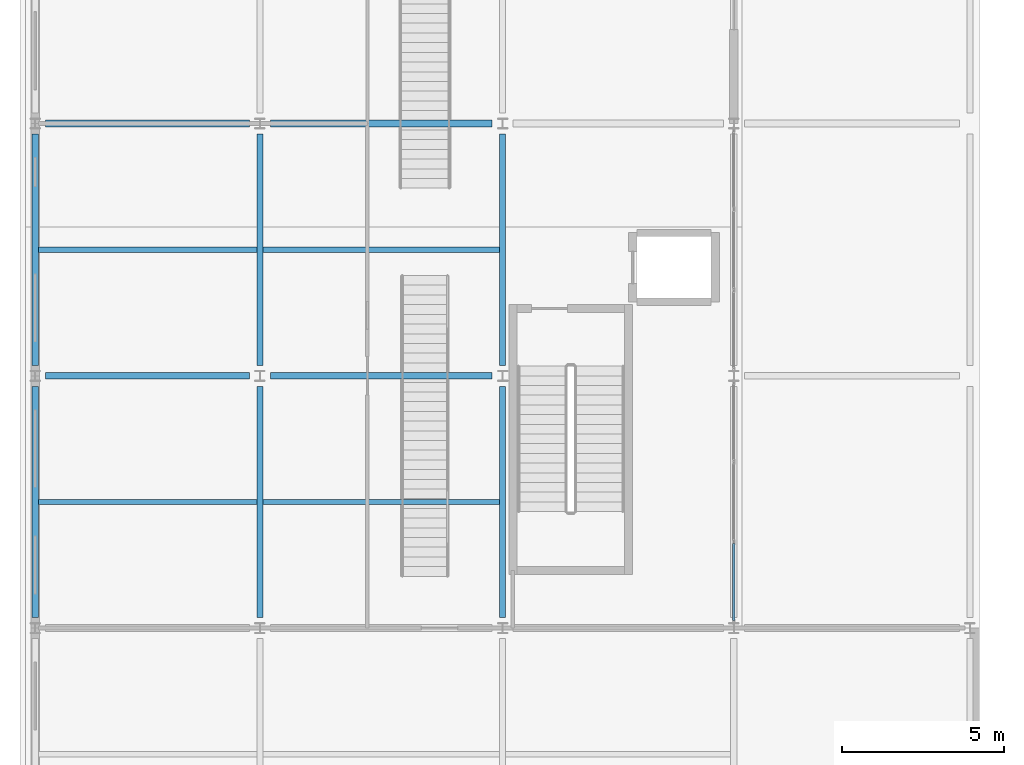
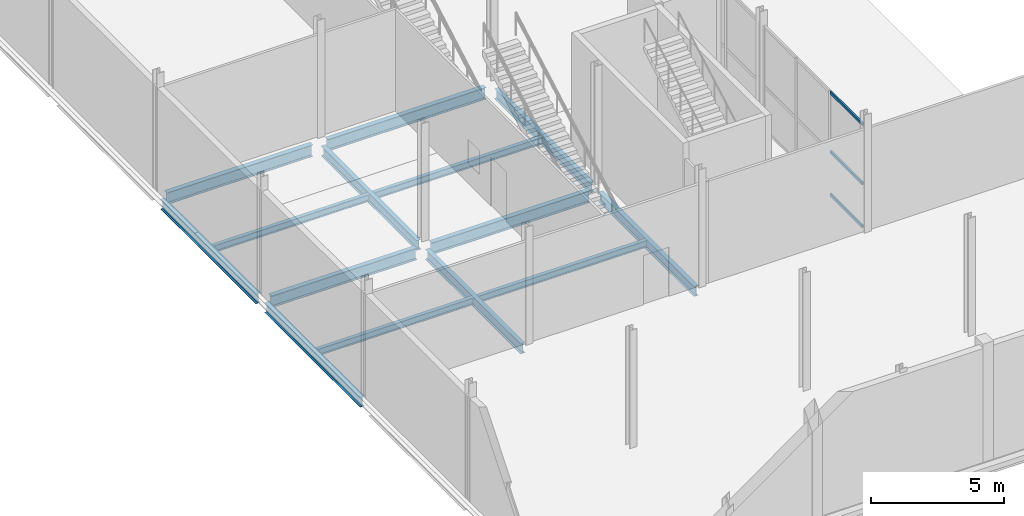
# One storey, part 14 of 83: 14 beams, 3 members, 1 element without a shape of its own.
"""IFC4 building model written with IfcOpenShell, lengths in metres."""

from ifc_helpers import new_model, si_unit, direction, frame, origin, origin_2d, place, context, subcontext, project, spatial, hollow_rectangle, i_section, extrude, material, layer, layer_set, material_profile, profile_set, type_object, element, aggregate, save


model = new_model("IFC4")

# Units and contexts
model_context = context("Model", 3, precision=1e-05, world=origin(), true_north=direction((0.0, 1.0)))
body_context = subcontext(model_context, "Body", "Model", "MODEL_VIEW")
ifc_project = project(units=[si_unit("LENGTHUNIT", "METRE"), si_unit("AREAUNIT", "SQUARE_METRE"), si_unit("VOLUMEUNIT", "CUBIC_METRE"), si_unit("PLANEANGLEUNIT", "RADIAN"), si_unit("MASSUNIT", "GRAM", prefix="KILO")], contexts=[model_context])

# Site, building, storey
site_placement = place(None, origin())
site = spatial("IfcSite", under=ifc_project, at=site_placement, CompositionType="ELEMENT")
building_placement = place(site_placement, origin())
building = spatial("IfcBuilding", under=site, at=building_placement, Name="Quillay Park Conservatory", CompositionType="ELEMENT")
storey_placement = place(building_placement, origin())
storey = spatial("IfcBuildingStorey", under=building, at=storey_placement, Name="L00", CompositionType="ELEMENT", Elevation=0.0)

# Beams
ifc_material_1 = material(Name="Steel ASTM A992 Grade 50", Category="steel")
ifc_material_profile_1 = material_profile(ifc_material_1, i_section(OverallWidth=0.166015625, OverallDepth=0.31298828125, WebThickness=0.006591796875, FlangeThickness=0.01123046875, FilletRadius=0.010009765625, at=origin_2d()), Name="W310x45")
ifc_profile_set_1 = profile_set([ifc_material_profile_1], Name="Steel ASTM A992 Grade 50")
beam_type_1 = type_object("IfcBeamType", Name="COMPOSITE FLOOR JOIST W310 X45", PredefinedType="JOIST", material=ifc_profile_set_1)
beam_1_placement = place(storey_placement, frame((0.64599609375, 19.5, -0.406494140625), z_axis=(1.0, 0.0, 0.0), x_axis=(0.0, 1.0, 0.0)))
element("IfcBeam", 1, at=beam_1_placement, inside=storey, type_object=beam_type_1, Name="L00 beam BM-V3J-1249", PredefinedType="JOIST", context=body_context, shape_type="SweptSolid", body=[
    extrude(i_section(OverallWidth=0.166015625, OverallDepth=0.31298828125, WebThickness=0.006591796875, FlangeThickness=0.01123046875, FilletRadius=0.010009765625, at=origin_2d()), origin(), (0.0, 0.0, 1.0), 6.758056640625),
])
beam_2_placement = place(storey_placement, frame((7.595947265625, 19.5, -0.406494140625), z_axis=(1.0, 0.0, 0.0), x_axis=(0.0, 1.0, 0.0)))
element("IfcBeam", 2, at=beam_2_placement, inside=storey, type_object=beam_type_1, Name="L00 beam BM-V3J-1250", PredefinedType="JOIST", context=body_context, shape_type="SweptSolid", body=[
    extrude(i_section(OverallWidth=0.166015625, OverallDepth=0.31298828125, WebThickness=0.006591796875, FlangeThickness=0.01123046875, FilletRadius=0.010009765625, at=origin_2d()), origin(), (0.0, 0.0, 1.0), 7.30810546875),
])
beam_3_placement = place(storey_placement, frame((0.64599609375, 27.300048828125, -0.406494140625), z_axis=(1.0, 0.0, 0.0), x_axis=(0.0, 1.0, 0.0)))
element("IfcBeam", 3, at=beam_3_placement, inside=storey, type_object=beam_type_1, Name="L00 beam BM-V3J-1251", PredefinedType="JOIST", context=body_context, shape_type="SweptSolid", body=[
    extrude(i_section(OverallWidth=0.166015625, OverallDepth=0.31298828125, WebThickness=0.006591796875, FlangeThickness=0.01123046875, FilletRadius=0.010009765625, at=origin_2d()), origin(), (0.0, 0.0, 1.0), 6.758056640625),
])
beam_4_placement = place(storey_placement, frame((7.595947265625, 27.300048828125, -0.406494140625), z_axis=(1.0, 0.0, 0.0), x_axis=(0.0, 1.0, 0.0)))
element("IfcBeam", 4, at=beam_4_placement, inside=storey, type_object=beam_type_1, Name="L00 beam BM-V3J-1252", PredefinedType="JOIST", context=body_context, shape_type="SweptSolid", body=[
    extrude(i_section(OverallWidth=0.166015625, OverallDepth=0.31298828125, WebThickness=0.006591796875, FlangeThickness=0.01123046875, FilletRadius=0.010009765625, at=origin_2d()), origin(), (0.0, 0.0, 1.0), 7.30810546875),
])

# Curtain wall, members
ifc_material_2 = material(Name="Thermally Broken Anodised Aluminium 6063-T6", Category="aluminium")
ifc_layer = layer(ifc_material_2, 0.1650390625)
ifc_layer_set = layer_set([ifc_layer], Name="UNITISED CURTAIN WALL PODIUM (Thermally Broken Anodised Aluminium 6063-T6)")
curtain_wall_type = type_object("IfcCurtainWallType", Name="UNITISED CURTAIN WALL PODIUM", PredefinedType="USERDEFINED", material=ifc_layer_set)
curtain_wall_placement = place(storey_placement, origin())
curtain_wall = element("IfcCurtainWall", 5, at=curtain_wall_placement, inside=storey, type_object=curtain_wall_type, Name="L00 Unitised Curtain Wall 196", ObjectType="UNITISED CURTAIN WALL", PredefinedType="USERDEFINED")
ifc_material_3 = material(Name="Thermally Broken Anodised Aluminium 6063-T6", Category="aluminium")
ifc_material_profile_2 = material_profile(ifc_material_3, hollow_rectangle(XDim=0.070068359375, YDim=0.1298828125, WallThickness=0.003173828125, at=origin_2d()), Name="AL70x130x3.2")
ifc_profile_set_2 = profile_set([ifc_material_profile_2], Name="Thermally Broken Anodised Aluminium 6063-T6")
member_type = type_object("IfcMemberType", Name="CURTAIN WALL TRANSOM 70 X130", PredefinedType="USERDEFINED", material=ifc_profile_set_2)
member_1_placement = place(storey_placement, frame((22.14990234375, 18.21826171875, 0.034912109375), z_axis=(0.0, -1.0, 0.0), x_axis=(1.0, 0.0, 0.0)))
member_1 = element("IfcMember", 6, at=member_1_placement, type_object=member_type, Name="CW-P1 transom 3.1", ObjectType="TRANSOM", PredefinedType="USERDEFINED", context=body_context, shape_type="SweptSolid", body=[
    extrude(hollow_rectangle(XDim=0.070068359375, YDim=0.1298828125, WallThickness=0.003173828125, at=origin_2d()), origin(), (0.0, 0.0, 1.0), 2.38818359375),
])
member_2_placement = place(storey_placement, frame((22.14990234375, 18.21826171875, 1.99462890625), z_axis=(0.0, -1.0, 0.0), x_axis=(1.0, 0.0, 0.0)))
member_2 = element("IfcMember", 7, at=member_2_placement, type_object=member_type, Name="CW-P1 transom 3.2", ObjectType="TRANSOM", PredefinedType="USERDEFINED", context=body_context, shape_type="SweptSolid", body=[
    extrude(hollow_rectangle(XDim=0.070068359375, YDim=0.1298828125, WallThickness=0.003173828125, at=origin_2d()), origin(), (0.0, 0.0, 1.0), 2.38818359375),
])
member_3_placement = place(storey_placement, frame((22.14990234375, 18.21826171875, 4.714111328125), z_axis=(0.0, -1.0, 0.0), x_axis=(1.0, 0.0, 0.0)))
member_3 = element("IfcMember", 8, at=member_3_placement, type_object=member_type, Name="CW-P1 transom 3.3", ObjectType="TRANSOM", PredefinedType="USERDEFINED", context=body_context, shape_type="SweptSolid", body=[
    extrude(hollow_rectangle(XDim=0.070068359375, YDim=0.1298828125, WallThickness=0.003173828125, at=origin_2d()), origin(), (0.0, 0.0, 1.0), 2.38818359375),
])
aggregate(curtain_wall, [member_1, member_2, member_3])

# Beams
ifc_material_4 = material(Name="Steel ASTM A992 Grade 50", Category="steel")
ifc_material_profile_3 = material_profile(ifc_material_4, i_section(OverallWidth=0.19189453125, OverallDepth=0.462890625, WebThickness=0.010498046875, FlangeThickness=0.017578125, FilletRadius=0.012939453125, at=origin_2d()), Name="W460x89")
ifc_profile_set_3 = profile_set([ifc_material_profile_3], Name="Steel ASTM A992 Grade 50")
beam_type_2 = type_object("IfcBeamType", Name="PRIMARY FLOOR GIRDER W460 X89", PredefinedType="BEAM", material=ifc_profile_set_3)
for number, where, z_axis, x_axis, name in (
    (9, (0.550048828125, 15.925048828125, -0.4814453125), (0.0, 1.0, 0.0), (-1.0, 0.0, 0.0), "L00 beam BM-V3Y-1210"),
    (10, (0.550048828125, 23.72509765625, -0.4814453125), (0.0, 1.0, 0.0), (-1.0, 0.0, 0.0), "L00 beam BM-V3Y-1211"),
    (11, (7.5, 15.925048828125, -0.4814453125), (0.0, 1.0, 0.0), (-1.0, 0.0, 0.0), "L00 beam BM-V3Y-1217"),
    (12, (7.5, 23.72509765625, -0.4814453125), (0.0, 1.0, 0.0), (-1.0, 0.0, 0.0), "L00 beam BM-V3Y-1218"),
    (13, (15.0, 15.925048828125, -0.4814453125), (0.0, 1.0, 0.0), (-1.0, 0.0, 0.0), "L00 beam BM-V3Y-1224"),
    (14, (15.0, 23.72509765625, -0.4814453125), (0.0, 1.0, 0.0), (-1.0, 0.0, 0.0), "L00 beam BM-V3Y-1225"),
):
    element("IfcBeam", number, at=place(storey_placement, frame(where, z_axis=z_axis, x_axis=x_axis)), inside=storey, type_object=beam_type_2, Name=name, PredefinedType="BEAM", context=body_context, shape_type="SweptSolid", body=[
        extrude(i_section(OverallWidth=0.19189453125, OverallDepth=0.462890625, WebThickness=0.010498046875, FlangeThickness=0.017578125, FilletRadius=0.012939453125, at=origin_2d()), origin(), (0.0, 0.0, 1.0), 7.14990234375),
    ])
ifc_material_5 = material(Name="Steel ASTM A992 Grade 50", Category="steel")
ifc_material_profile_4 = material_profile(ifc_material_5, i_section(OverallWidth=0.2109375, OverallDepth=0.5390625, WebThickness=0.01171875, FlangeThickness=0.018798828125, FilletRadius=0.013916015625, at=origin_2d()), Name="W530x109")
ifc_profile_set_4 = profile_set([ifc_material_profile_4], Name="Steel ASTM A992 Grade 50")
beam_type_3 = type_object("IfcBeamType", Name="PRIMARY FLOOR GIRDER W530 X109", PredefinedType="BEAM", material=ifc_profile_set_4)
beam_5_placement = place(storey_placement, frame((0.875, 23.39990234375, -0.51953125), z_axis=(1.0, 0.0, 0.0), x_axis=(0.0, 1.0, 0.0)))
element("IfcBeam", 15, at=beam_5_placement, inside=storey, type_object=beam_type_3, Name="L00 beam BM-V3X-1190", PredefinedType="BEAM", context=body_context, shape_type="SweptSolid", body=[
    extrude(i_section(OverallWidth=0.2109375, OverallDepth=0.5390625, WebThickness=0.01171875, FlangeThickness=0.018798828125, FilletRadius=0.013916015625, at=origin_2d()), origin(), (0.0, 0.0, 1.0), 6.300048828125),
])
beam_6_placement = place(storey_placement, frame((7.824951171875, 23.39990234375, -0.51953125), z_axis=(1.0, 0.0, 0.0), x_axis=(0.0, 1.0, 0.0)))
element("IfcBeam", 16, at=beam_6_placement, inside=storey, type_object=beam_type_3, Name="L00 beam BM-V3X-1191", PredefinedType="BEAM", context=body_context, shape_type="SweptSolid", body=[
    extrude(i_section(OverallWidth=0.2109375, OverallDepth=0.5390625, WebThickness=0.01171875, FlangeThickness=0.018798828125, FilletRadius=0.013916015625, at=origin_2d()), origin(), (0.0, 0.0, 1.0), 6.85009765625),
])
beam_7_placement = place(storey_placement, frame((0.875, 31.199951171875, -0.51953125), z_axis=(1.0, 0.0, 0.0), x_axis=(0.0, 1.0, 0.0)))
element("IfcBeam", 17, at=beam_7_placement, inside=storey, type_object=beam_type_3, Name="L00 beam BM-V3X-1193", PredefinedType="BEAM", context=body_context, shape_type="SweptSolid", body=[
    extrude(i_section(OverallWidth=0.2109375, OverallDepth=0.5390625, WebThickness=0.01171875, FlangeThickness=0.018798828125, FilletRadius=0.013916015625, at=origin_2d()), origin(), (0.0, 0.0, 1.0), 6.300048828125),
])
beam_8_placement = place(storey_placement, frame((7.824951171875, 31.199951171875, -0.51953125), z_axis=(1.0, 0.0, 0.0), x_axis=(0.0, 1.0, 0.0)))
element("IfcBeam", 18, at=beam_8_placement, inside=storey, type_object=beam_type_3, Name="L00 beam BM-V3X-1194", PredefinedType="BEAM", context=body_context, shape_type="SweptSolid", body=[
    extrude(i_section(OverallWidth=0.2109375, OverallDepth=0.5390625, WebThickness=0.01171875, FlangeThickness=0.018798828125, FilletRadius=0.013916015625, at=origin_2d()), origin(), (0.0, 0.0, 1.0), 6.85009765625),
])

save(model, "model.ifc")
